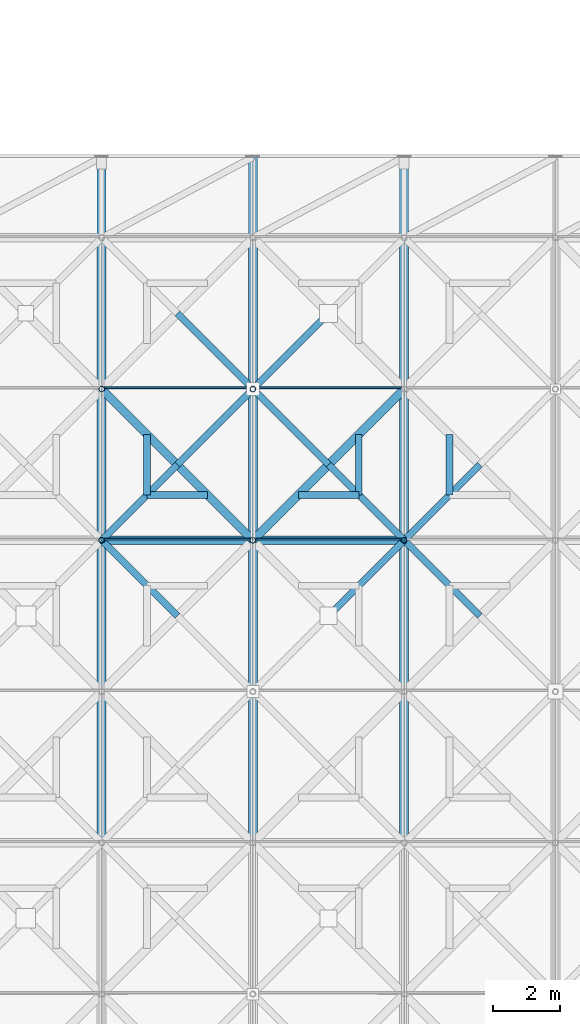
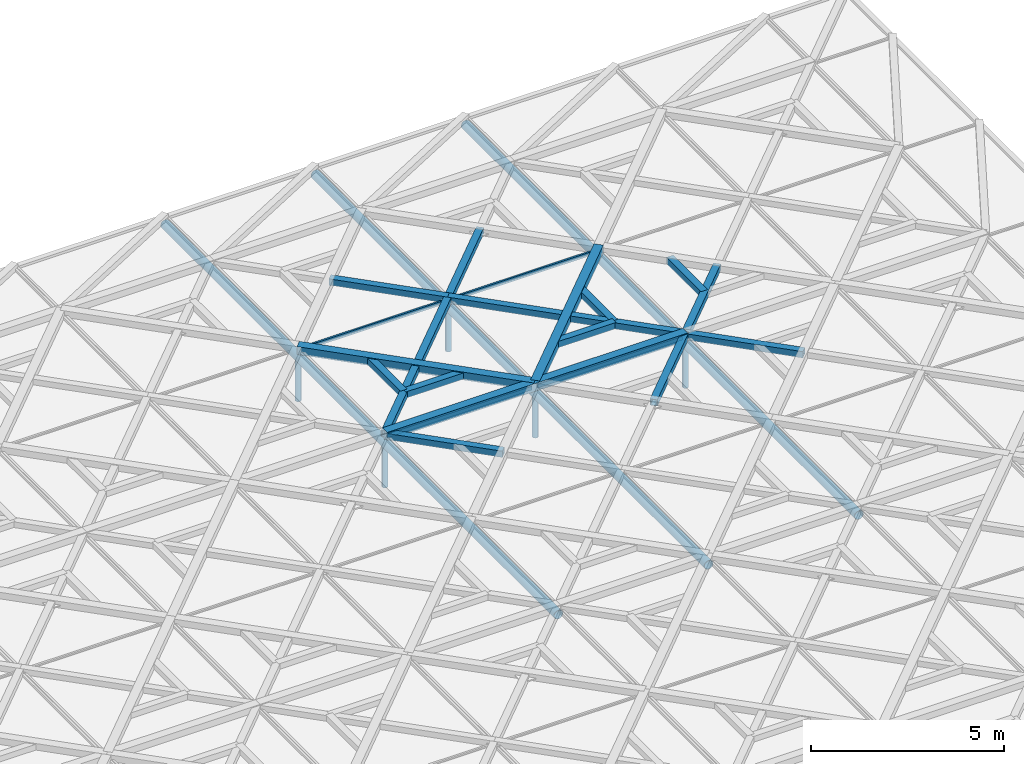
# One storey, part 58 of 80: 29 members, 2 elements without a shape of their own.
"""IFC4 building model written with IfcOpenShell, lengths in metres."""

from ifc_helpers import new_model, si_unit, direction, frame, origin, origin_2d, place, context, subcontext, project, spatial, rectangle, hollow_rectangle, hollow_circle, extrude, material, material_profile, profile_set, type_object, element, aggregate, save


model = new_model("IFC4")

# Units and contexts
model_context = context("Model", 3, precision=1e-05, world=origin(), true_north=direction((0.0, 1.0)))
body_context = subcontext(model_context, "Body", "Model", "MODEL_VIEW")
ifc_project = project(units=[si_unit("LENGTHUNIT", "METRE"), si_unit("AREAUNIT", "SQUARE_METRE"), si_unit("VOLUMEUNIT", "CUBIC_METRE"), si_unit("PLANEANGLEUNIT", "RADIAN"), si_unit("MASSUNIT", "GRAM", prefix="KILO"), si_unit("THERMODYNAMICTEMPERATUREUNIT", "KELVIN"), si_unit("POWERUNIT", "WATT")], contexts=[model_context])

# Site, building, storey
site_placement = place(None, origin())
site = spatial("IfcSite", under=ifc_project, at=site_placement, CompositionType="ELEMENT")
building_placement = place(site_placement, origin())
building = spatial("IfcBuilding", under=site, at=building_placement, Name="Tallowbark Science Centre", CompositionType="ELEMENT")
storey_placement = place(building_placement, frame((0.0, 0.0, 25.949951171875)))
storey = spatial("IfcBuildingStorey", under=building, at=storey_placement, Name="ROOF", CompositionType="ELEMENT", Elevation=25.949951171875)

# Curtain wall, members
ifc_material_1 = material(Name="Blue-Tinted Laminated Low-E Skylight Glass", Category="glass")
curtain_wall_type = type_object("IfcCurtainWallType", Name="CW-SKY-ROOF", PredefinedType="NOTDEFINED", material=ifc_material_1)
curtain_wall_1_placement = place(storey_placement, origin())
curtain_wall_1 = element("IfcCurtainWall", 1, at=curtain_wall_1_placement, inside=storey, type_object=curtain_wall_type, Name="Exhibition Star-Screen Skylight Bay 8", PredefinedType="NOTDEFINED")
ifc_material_2 = material(Name="Anodised Architectural Aluminium Alloy 6063-T6", Category="aluminium")
ifc_material_profile_1 = material_profile(ifc_material_2, rectangle(XDim=0.054931640625, YDim=0.1201171875, at=origin_2d()), Name="ALU55x120")
ifc_profile_set_1 = profile_set([ifc_material_profile_1], Name="Anodised Architectural Aluminium Alloy 6063-T6")
member_type_1 = type_object("IfcMemberType", Name="CWM-SKY-TRN", PredefinedType="USERDEFINED", material=ifc_profile_set_1)
member_1_placement = place(storey_placement, frame((85.580078125, 31.5400390625, 0.35205078125), z_axis=(1.0, 0.0, 0.0), x_axis=(0.0, 1.0, 0.0)))
member_1 = element("IfcMember", 2, at=member_1_placement, type_object=member_type_1, Name="Skylight Bay 8 Transom 8", ObjectType="TRANSOM", PredefinedType="USERDEFINED", context=body_context, shape_type="SweptSolid", body=[
    extrude(rectangle(XDim=0.054931640625, YDim=0.1201171875, at=origin_2d()), origin(), (0.0, 0.0, 1.0), 4.33984375),
])
member_2_placement = place(storey_placement, frame((85.580078125, 36.0400390625, 0.35205078125), z_axis=(1.0, 0.0, 0.0), x_axis=(0.0, 1.0, 0.0)))
member_2 = element("IfcMember", 3, at=member_2_placement, type_object=member_type_1, Name="Skylight Bay 8 Transom 9", ObjectType="TRANSOM", PredefinedType="USERDEFINED", context=body_context, shape_type="SweptSolid", body=[
    extrude(rectangle(XDim=0.054931640625, YDim=0.1201171875, at=origin_2d()), origin(), (0.0, 0.0, 1.0), 4.33984375),
])
aggregate(curtain_wall_1, [member_1, member_2])

curtain_wall_2_placement = place(storey_placement, origin())
curtain_wall_2 = element("IfcCurtainWall", 4, at=curtain_wall_2_placement, inside=storey, type_object=curtain_wall_type, Name="Exhibition Star-Screen Skylight Bay 9", PredefinedType="NOTDEFINED")
member_3_placement = place(storey_placement, frame((90.080078125, 31.5400390625, 0.35205078125), z_axis=(1.0, 0.0, 0.0), x_axis=(0.0, 1.0, 0.0)))
member_3 = element("IfcMember", 5, at=member_3_placement, type_object=member_type_1, Name="Skylight Bay 9 Transom 8", ObjectType="TRANSOM", PredefinedType="USERDEFINED", context=body_context, shape_type="SweptSolid", body=[
    extrude(rectangle(XDim=0.054931640625, YDim=0.1201171875, at=origin_2d()), origin(), (0.0, 0.0, 1.0), 4.33984375),
])
member_4_placement = place(storey_placement, frame((90.080078125, 36.0400390625, 0.35205078125), z_axis=(1.0, 0.0, 0.0), x_axis=(0.0, 1.0, 0.0)))
member_4 = element("IfcMember", 6, at=member_4_placement, type_object=member_type_1, Name="Skylight Bay 9 Transom 9", ObjectType="TRANSOM", PredefinedType="USERDEFINED", context=body_context, shape_type="SweptSolid", body=[
    extrude(rectangle(XDim=0.054931640625, YDim=0.1201171875, at=origin_2d()), origin(), (0.0, 0.0, 1.0), 4.33984375),
])
aggregate(curtain_wall_2, [member_3, member_4])

# Members
ifc_material_3 = material(Name="White Architectural Painted Steel Grade C350L0 (350 MPa)", Category="steel")
ifc_material_profile_2 = material_profile(ifc_material_3, hollow_rectangle(XDim=0.25, YDim=0.25, WallThickness=0.009033203125, at=origin_2d()), Name="250x250x9.0SHS")
ifc_profile_set_2 = profile_set([ifc_material_profile_2], Name="White Architectural Painted Steel Grade C350L0 (350 MPa)")
member_type_2 = type_object("IfcMemberType", Name="SCR-CHD200", PredefinedType="CHORD", material=ifc_profile_set_2)
member_5_placement = place(storey_placement, frame((85.5, 31.5, 0.449951171875), z_axis=(1.0, 0.0, 0.0), x_axis=(0.0, 1.0, 0.0)))
element("IfcMember", 7, at=member_5_placement, inside=storey, type_object=member_type_2, Name="Star Screen Frame Chord TOP-68", PredefinedType="CHORD", context=body_context, shape_type="SweptSolid", body=[
    extrude(hollow_rectangle(XDim=0.25, YDim=0.25, WallThickness=0.009033203125, at=origin_2d()), origin(), (0.0, 0.0, 1.0), 9.0),
])
for number, where, z_axis, x_axis, name in (
    (8, (90.0, 31.5, 0.449951171875), (0.707106781187, 0.707106781187, 0.0), (-0.707106781187, 0.707106781187, 0.0), "Star Screen Octagram Diamond Chord TOP-69-1"),
    (9, (85.5, 36.0, 0.449951171875), (0.707106781187, -0.707106781187, 0.0), (0.707106781187, 0.707106781187, 0.0), "Star Screen Octagram Diamond Chord TOP-69-4"),
):
    element("IfcMember", number, at=place(storey_placement, frame(where, z_axis=z_axis, x_axis=x_axis)), inside=storey, type_object=member_type_2, Name=name, PredefinedType="CHORD", context=body_context, shape_type="SweptSolid", body=[
        extrude(hollow_rectangle(XDim=0.25, YDim=0.25, WallThickness=0.009033203125, at=origin_2d()), origin(), (0.0, 0.0, 1.0), 6.364013671875),
    ])
ifc_material_profile_3 = material_profile(ifc_material_3, hollow_rectangle(XDim=0.199951171875, YDim=0.199951171875, WallThickness=0.009033203125, at=origin_2d()), Name="200x200x9.0SHS")
ifc_profile_set_3 = profile_set([ifc_material_profile_3], Name="White Architectural Painted Steel Grade C350L0 (350 MPa)")
member_type_3 = type_object("IfcMemberType", Name="SCR-STAR139", PredefinedType="BRACE", material=ifc_profile_set_3)
for number, where, z_axis, x_axis, name in (
    (10, (92.25, 29.25, 0.449951171875), (0.707106781187, 0.707106781187, 0.0), (-0.707106781187, 0.707106781187, 0.0), "Star Screen Continuous X-Diagonal D1B TOP-68"),
    (11, (85.5, 31.5, 0.449951171875), (0.707106781187, -0.707106781187, 0.0), (0.707106781187, 0.707106781187, 0.0), "Star Screen Split X-Diagonal D2A TOP-68"),
    (12, (85.5, 31.5, 0.449951171875), (0.707106781187, 0.707106781187, 0.0), (-0.707106781187, 0.707106781187, 0.0), "Star Screen Continuous X-Diagonal D1A TOP-69"),
):
    element("IfcMember", number, at=place(storey_placement, frame(where, z_axis=z_axis, x_axis=x_axis)), inside=storey, type_object=member_type_3, Name=name, PredefinedType="BRACE", context=body_context, shape_type="SweptSolid", body=[
        extrude(hollow_rectangle(XDim=0.199951171875, YDim=0.199951171875, WallThickness=0.009033203125, at=origin_2d()), origin(), (0.0, 0.0, 1.0), 3.181884765625),
    ])
member_6_placement = place(storey_placement, frame((87.75, 33.75, 0.449951171875), z_axis=(0.707106781187, 0.707106781187, 0.0), x_axis=(-0.707106781187, 0.707106781187, 0.0)))
element("IfcMember", 13, at=member_6_placement, inside=storey, type_object=member_type_3, Name="Star Screen Continuous X-Diagonal D1M TOP-69", PredefinedType="BRACE", context=body_context, shape_type="SweptSolid", body=[
    extrude(hollow_rectangle(XDim=0.199951171875, YDim=0.199951171875, WallThickness=0.009033203125, at=origin_2d()), origin(), (0.0, 0.0, 1.0), 6.364013671875),
])
for number, where, z_axis, x_axis, name in (
    (14, (87.75, 38.25, 0.449951171875), (0.707106781187, -0.707106781187, 0.0), (0.707106781187, 0.707106781187, 0.0), "Star Screen Split X-Diagonal D2B TOP-69"),
    (15, (90.0, 36.0, 0.449951171875), (0.707106781187, -0.707106781187, 0.0), (0.707106781187, 0.707106781187, 0.0), "Star Screen Split X-Diagonal D2C TOP-69"),
    (16, (92.25, 33.75, 0.449951171875), (0.707106781187, -0.707106781187, 0.0), (0.707106781187, 0.707106781187, 0.0), "Star Screen Split X-Diagonal D2D TOP-69"),
    (17, (94.5, 31.5, 0.449951171875), (0.707106781187, -0.707106781187, 0.0), (0.707106781187, 0.707106781187, 0.0), "Star Screen Split X-Diagonal D2A TOP-72"),
    (18, (94.5, 31.5, 0.449951171875), (0.707106781187, 0.707106781187, 0.0), (-0.707106781187, 0.707106781187, 0.0), "Star Screen Continuous X-Diagonal D1A TOP-73"),
):
    element("IfcMember", number, at=place(storey_placement, frame(where, z_axis=z_axis, x_axis=x_axis)), inside=storey, type_object=member_type_3, Name=name, PredefinedType="BRACE", context=body_context, shape_type="SweptSolid", body=[
        extrude(hollow_rectangle(XDim=0.199951171875, YDim=0.199951171875, WallThickness=0.009033203125, at=origin_2d()), origin(), (0.0, 0.0, 1.0), 3.181884765625),
    ])
ifc_material_profile_4 = material_profile(ifc_material_3, hollow_rectangle(XDim=0.199951171875, YDim=0.199951171875, WallThickness=0.009033203125, at=origin_2d()), Name="200x200x9.0SHS")
ifc_profile_set_4 = profile_set([ifc_material_profile_4], Name="White Architectural Painted Steel Grade C350L0 (350 MPa)")
member_type_4 = type_object("IfcMemberType", Name="SCR-SUB150", PredefinedType="BRACE", material=ifc_profile_set_4)
for number, where, z_axis, x_axis, name in (
    (19, (86.85009765625, 32.85009765625, 0.449951171875), (1.0, 0.0, 0.0), (0.0, 1.0, 0.0), "Star Screen Octagram Point Ray TOP-69-1"),
    (20, (86.85009765625, 32.85009765625, 0.449951171875), (0.0, 1.0, 0.0), (-1.0, 0.0, 0.0), "Star Screen Octagram Point Ray TOP-69-2"),
    (21, (93.14990234375, 32.85009765625, 0.449951171875), (-1.0, 0.0, 0.0), (0.0, -1.0, 0.0), "Star Screen Octagram Point Ray TOP-69-3"),
    (22, (93.14990234375, 32.85009765625, 0.449951171875), (0.0, 1.0, 0.0), (-1.0, 0.0, 0.0), "Star Screen Octagram Point Ray TOP-69-4"),
    (23, (95.85009765625, 32.85009765625, 0.449951171875), (0.0, 1.0, 0.0), (-1.0, 0.0, 0.0), "Star Screen Octagram Point Ray TOP-73-2"),
):
    element("IfcMember", number, at=place(storey_placement, frame(where, z_axis=z_axis, x_axis=x_axis)), inside=storey, type_object=member_type_4, Name=name, PredefinedType="BRACE", context=body_context, shape_type="SweptSolid", body=[
        extrude(hollow_rectangle(XDim=0.199951171875, YDim=0.199951171875, WallThickness=0.009033203125, at=origin_2d()), origin(), (0.0, 0.0, 1.0), 1.7998046875),
    ])
ifc_material_profile_5 = material_profile(ifc_material_3, hollow_circle(Radius=0.136474609375, WallThickness=0.00927734375, at=origin_2d()), Name="273.1x9.3CHS")
ifc_profile_set_5 = profile_set([ifc_material_profile_5], Name="White Architectural Painted Steel Grade C350L0 (350 MPa)")
member_type_5 = type_object("IfcMemberType", Name="TR-CHD273", PredefinedType="CHORD", material=ifc_profile_set_5)
for number, where, z_axis, x_axis, name in (
    (24, (85.5, 22.5, 0.18994140625), (0.0, 1.0, 0.0), (-1.0, 0.0, 0.0), "Exhibition Roof Truss North Top Chord 7"),
    (25, (90.0, 22.5, 0.18994140625), (0.0, 1.0, 0.0), (-1.0, 0.0, 0.0), "Exhibition Roof Truss North Top Chord 8"),
    (26, (94.5, 22.5, 0.18994140625), (0.0, 1.0, 0.0), (-1.0, 0.0, 0.0), "Exhibition Roof Truss North Top Chord 9"),
):
    element("IfcMember", number, at=place(storey_placement, frame(where, z_axis=z_axis, x_axis=x_axis)), inside=storey, type_object=member_type_5, Name=name, PredefinedType="CHORD", context=body_context, shape_type="SweptSolid", body=[
        extrude(hollow_circle(Radius=0.136474609375, WallThickness=0.00927734375, at=origin_2d()), origin(), (0.0, 0.0, 1.0), 20.39990234375),
    ])
ifc_material_profile_6 = material_profile(ifc_material_3, hollow_circle(Radius=0.084228515625, WallThickness=0.007080078125, at=origin_2d()), Name="168.3x7.1CHS")
ifc_profile_set_6 = profile_set([ifc_material_profile_6], Name="White Architectural Painted Steel Grade C350L0 (350 MPa)")
member_type_6 = type_object("IfcMemberType", Name="TR-WEB168", PredefinedType="BRACE", material=ifc_profile_set_6)
for number, where, z_axis, x_axis, name in (
    (27, (85.5, 31.5, -1.199951171875), (0.0, 0.0, 1.0), (1.0, 0.0, 0.0), "Exhibition Roof Truss Web 7-31.5"),
    (28, (85.5, 36.0, -1.199951171875), (0.0, 0.0, 1.0), (1.0, 0.0, 0.0), "Exhibition Roof Truss Web 7-36"),
    (29, (90.0, 31.5, -1.199951171875), (0.0, 0.0, 1.0), (1.0, 0.0, 0.0), "Exhibition Roof Truss Web 8-31.5"),
    (30, (90.0, 36.0, -1.199951171875), (0.0, 0.0, 1.0), (1.0, 0.0, 0.0), "Exhibition Roof Truss Web 8-36"),
    (31, (94.5, 31.5, -1.199951171875), (0.0, 0.0, 1.0), (1.0, 0.0, 0.0), "Exhibition Roof Truss Web 9-31.5"),
):
    element("IfcMember", number, at=place(storey_placement, frame(where, z_axis=z_axis, x_axis=x_axis)), inside=storey, type_object=member_type_6, Name=name, PredefinedType="BRACE", context=body_context, shape_type="SweptSolid", body=[
        extrude(hollow_circle(Radius=0.084228515625, WallThickness=0.007080078125, at=origin_2d()), origin(), (0.0, 0.0, 1.0), 1.389892578125),
    ])

save(model, "model.ifc")
